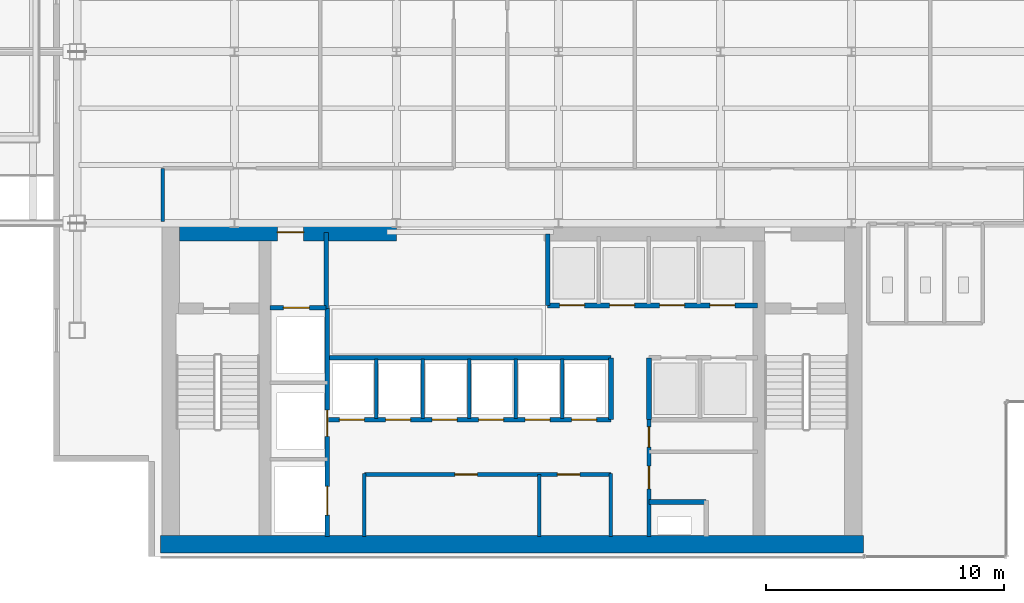
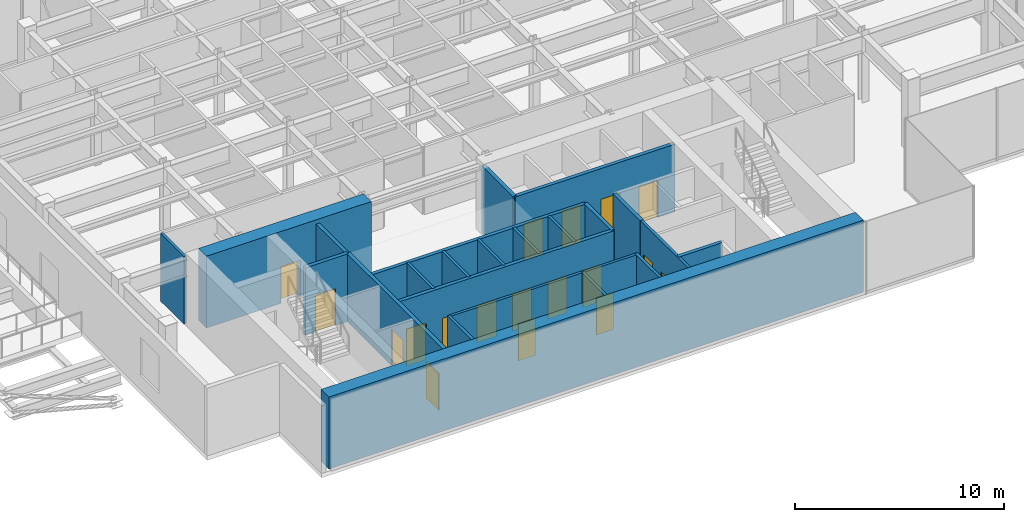
# One storey, part 18 of 26: 23 walls, 18 doors, 18 openings.
"""IFC4 building model written with IfcOpenShell, lengths in metres."""

from ifc_helpers import new_model, si_unit, derived_unit, direction, frame, frame_2d, origin, place, context, subcontext, project, spatial, rectangle, extrude, source, transform, mapped, material, layer, layer_set, type_object, element, fill, save


model = new_model("IFC4")

# Units and contexts
model_context = context("Model", 3, precision=1e-05, world=origin(), true_north=direction((0.0, 1.0)))
body_context = subcontext(model_context, "Body", "Model", "MODEL_VIEW")
ifc_project = project(units=[si_unit("LENGTHUNIT", "METRE"), si_unit("AREAUNIT", "SQUARE_METRE"), si_unit("VOLUMEUNIT", "CUBIC_METRE"), si_unit("PLANEANGLEUNIT", "RADIAN"), si_unit("MASSUNIT", "GRAM", prefix="KILO"), derived_unit("THERMALTRANSMITTANCEUNIT", [(si_unit("POWERUNIT", "WATT"), 1), (si_unit("LENGTHUNIT", "METRE"), -2), (si_unit("THERMODYNAMICTEMPERATUREUNIT", "KELVIN"), -1)])], contexts=[model_context])

# Site, building, storey
site_placement = place(None, origin())
site = spatial("IfcSite", under=ifc_project, at=site_placement, CompositionType="ELEMENT")
building_placement = place(site_placement, origin())
building = spatial("IfcBuilding", under=site, at=building_placement, Name="Skarnbrae Concourse Arena and Tower", CompositionType="ELEMENT")
storey_placement = place(building_placement, frame((0.0, 0.0, 184.39990234375)))
storey = spatial("IfcBuildingStorey", under=building, at=storey_placement, Name="L47", CompositionType="ELEMENT", Elevation=184.39990234375)

# Wall
ifc_material_1 = material(Name="Concrete 60 MPa (C60/75)", Category="concrete")
ifc_layer_1 = layer(ifc_material_1, 0.75)
ifc_layer_set_1 = layer_set([ifc_layer_1], Name="Concrete 60 MPa (C60/75)")
wall_type_1 = type_object("IfcWallType", Name="WALL-CORE-750-C60", PredefinedType="SHEAR", material=ifc_layer_set_1)
shared_shape_1 = source(origin(), body_context, "Body", "SweptSolid", [
    extrude(rectangle(XDim=29.5, YDim=0.75, at=frame_2d((14.75, 0.0))), origin(), (0.0, 0.0, 1.0), 4.2001953125),
])
wall_1_placement = place(storey_placement, frame((4.5, 0.52490234375, 0.0), z_axis=(0.0, 0.0, 1.0), x_axis=(1.0, 0.0, 0.0)))
element("IfcWall", 1, at=wall_1_placement, inside=storey, type_object=wall_type_1, Name="L47 Rear core shear wall CW-S", PredefinedType="SHEAR", context=body_context, shape_type="MappedRepresentation", body=[
    mapped(shared_shape_1, transform((0.0, 0.0, 0.0))),
])

# Wall, opening, door
shared_shape_2 = source(origin(), body_context, "Body", "SweptSolid", [
    extrude(rectangle(XDim=9.099853515625, YDim=0.75, at=frame_2d((4.5498046875, 0.0))), origin(), (0.0, 0.0, 1.0), 4.2001953125),
])
wall_2_placement = place(storey_placement, frame((5.300048828125, 13.625, 0.0), z_axis=(0.0, 0.0, 1.0), x_axis=(1.0, 0.0, 0.0)))
wall_2 = element("IfcWall", 2, at=wall_2_placement, inside=storey, type_object=wall_type_1, Name="L47 Rear core shear wall CW-NW", PredefinedType="SHEAR", context=body_context, shape_type="MappedRepresentation", body=[
    mapped(shared_shape_2, transform((0.0, 0.0, 0.0))),
])
opening_1_placement = place(wall_2_placement, frame((4.10009765625, 0.0, 0.0)))
opening_1 = element("IfcOpeningElement", 3, at=opening_1_placement, cuts=wall_2, Name="Opening DT-03", PredefinedType="OPENING", context=body_context, shape_type="SweptSolid", body=[
    extrude(rectangle(XDim=1.10009765625, YDim=2.14990234375, at=frame_2d((0.550048828125, 1.074951171875))), frame((0.0, 0.385009765625, 0.0), z_axis=(0.0, -1.0, 0.0), x_axis=(1.0, 0.0, 0.0)), (0.0, 0.0, 1.0), 0.77001953125),
])
ifc_material_2 = material(Name="Steel CSA G40.21 350W", Category="steel")
door_type_1 = type_object("IfcDoorType", Name="DOOR-FIRE-1100-90M", OperationType="NOTDEFINED", PredefinedType="DOOR", material=ifc_material_2)
shared_shape_3 = source(origin(), body_context, "Body", "SweptSolid", [
    extrude(rectangle(XDim=1.10009765625, YDim=2.14990234375, at=frame_2d((0.550048828125, 1.074951171875))), frame((0.0, 0.02490234375, 0.0), z_axis=(0.0, -1.0, 0.0), x_axis=(1.0, 0.0, 0.0)), (0.0, 0.0, 1.0), 0.050048828125),
])
door_1_placement = place(opening_1_placement, origin())
door_1 = element("IfcDoor", 4, at=door_1_placement, inside=storey, type_object=door_type_1, Name="D-1436 Firefighting Lobby Exit Door", OperationType="SINGLE_SWING_RIGHT", OverallHeight=2.14990234375, OverallWidth=1.10009765625, PredefinedType="DOOR", context=body_context, shape_type="MappedRepresentation", body=[
    mapped(shared_shape_3, transform((0.0, 0.0, 0.0))),
])
fill(opening_1, door_1)

# Wall
ifc_material_3 = material(Name="Gypsum board on cold-formed steel studs", Category="steel")
ifc_layer_2 = layer(ifc_material_3, 0.199951171875)
ifc_layer_set_2 = layer_set([ifc_layer_2], Name="Gypsum board on cold-formed steel studs")
wall_type_2 = type_object("IfcWallType", Name="WALL-PART-200-2HR", PredefinedType="PARTITIONING", material=ifc_layer_set_2)
shared_shape_4 = source(origin(), body_context, "Body", "SweptSolid", [
    extrude(rectangle(XDim=3.18017578125, YDim=0.199951171875, at=frame_2d((1.590087890625, 0.0))), origin(), (0.0, 0.0, 1.0), 3.9501953125),
])
wall_3_placement = place(storey_placement, frame((11.449951171875, 10.419921875, 0.0), z_axis=(0.0, 0.0, 1.0), x_axis=(0.0, 1.0, 0.0)))
element("IfcWall", 5, at=wall_3_placement, inside=storey, type_object=wall_type_2, Name="L47 Interior partition wall W-L47-FFL-E", PredefinedType="PARTITIONING", context=body_context, shape_type="MappedRepresentation", body=[
    mapped(shared_shape_4, transform((0.0, 0.0, 0.0))),
])

# Wall, opening, door
shared_shape_5 = source(origin(), body_context, "Body", "SweptSolid", [
    extrude(rectangle(XDim=2.349853515625, YDim=0.199951171875, at=frame_2d((1.1748046875, 0.0))), origin(), (0.0, 0.0, 1.0), 3.9501953125),
])
wall_4_placement = place(storey_placement, frame((9.10009765625, 10.449951171875, 0.0), z_axis=(0.0, 0.0, 1.0), x_axis=(1.0, 0.0, 0.0)))
wall_4 = element("IfcWall", 6, at=wall_4_placement, inside=storey, type_object=wall_type_2, Name="L47 Interior partition wall W-L47-FL1-N", PredefinedType="PARTITIONING", context=body_context, shape_type="MappedRepresentation", body=[
    mapped(shared_shape_5, transform((0.0, 0.0, 0.0))),
])
opening_2_placement = place(wall_4_placement, frame((0.550048828125, 0.0, 0.0)))
opening_2 = element("IfcOpeningElement", 7, at=opening_2_placement, cuts=wall_4, Name="Opening LD-01", PredefinedType="OPENING", context=body_context, shape_type="SweptSolid", body=[
    extrude(rectangle(XDim=1.10009765625, YDim=2.14990234375, at=frame_2d((0.550048828125, 1.074951171875))), frame((0.0, 0.10986328125, 0.0), z_axis=(0.0, -1.0, 0.0), x_axis=(1.0, 0.0, 0.0)), (0.0, 0.0, 1.0), 0.219970703125),
])
door_type_2 = type_object("IfcDoorType", Name="DOOR-LIFT-SLIDE-1100", OperationType="SLIDING_TO_LEFT", PredefinedType="DOOR", material=ifc_material_2)
door_2_placement = place(opening_2_placement, origin())
door_2 = element("IfcDoor", 8, at=door_2_placement, inside=storey, type_object=door_type_2, Name="D-1438 Firefighting Lift Landing Door FL-01", OperationType="SLIDING_TO_LEFT", OverallHeight=2.14990234375, OverallWidth=1.10009765625, PredefinedType="DOOR", context=body_context, shape_type="MappedRepresentation", body=[
    mapped(shared_shape_3, transform((0.0, 0.0, 0.0))),
])
fill(opening_2, door_2)

# Wall, openings, doors
shared_shape_6 = source(origin(), body_context, "Body", "SweptSolid", [
    extrude(rectangle(XDim=9.599853515625, YDim=0.199951171875, at=frame_2d((4.7998046875, 0.0))), origin(), (0.0, 0.0, 1.0), 3.9501953125),
])
wall_5_placement = place(storey_placement, frame((11.5, 0.85009765625, 0.0), z_axis=(0.0, 0.0, 1.0), x_axis=(0.0, 1.0, 0.0)))
wall_5 = element("IfcWall", 9, at=wall_5_placement, inside=storey, type_object=wall_type_2, Name="L47 Interior partition wall W-L47-FL-E", PredefinedType="PARTITIONING", context=body_context, shape_type="MappedRepresentation", body=[
    mapped(shared_shape_6, transform((0.0, 0.0, 0.0))),
])
opening_3_placement = place(wall_5_placement, frame((4.199951171875, 0.0, 0.0)))
opening_3 = element("IfcOpeningElement", 10, at=opening_3_placement, cuts=wall_5, Name="Opening LD-01", PredefinedType="OPENING", context=body_context, shape_type="SweptSolid", body=[
    extrude(rectangle(XDim=1.10009765625, YDim=2.14990234375, at=frame_2d((0.550048828125, 1.074951171875))), frame((0.0, 0.10986328125, 0.0), z_axis=(0.0, -1.0, 0.0), x_axis=(1.0, 0.0, 0.0)), (0.0, 0.0, 1.0), 0.219970703125),
])
opening_4_placement = place(wall_5_placement, frame((0.89990234375, 0.0, 0.0)))
opening_4 = element("IfcOpeningElement", 11, at=opening_4_placement, cuts=wall_5, Name="Opening LD-02", PredefinedType="OPENING", context=body_context, shape_type="SweptSolid", body=[
    extrude(rectangle(XDim=1.199951171875, YDim=2.14990234375, at=frame_2d((0.60009765625, 1.074951171875))), frame((0.0, 0.10986328125, 0.0), z_axis=(0.0, -1.0, 0.0), x_axis=(1.0, 0.0, 0.0)), (0.0, 0.0, 1.0), 0.219970703125),
])
door_3_placement = place(opening_3_placement, frame((1.10009765625, 0.0, 0.0), z_axis=(0.0, 0.0, 1.0), x_axis=(-1.0, 0.0, 0.0)))
door_3 = element("IfcDoor", 12, at=door_3_placement, inside=storey, type_object=door_type_2, Name="D-1439 Firefighting Lift Landing Door FL-02", OperationType="SLIDING_TO_LEFT", OverallHeight=2.14990234375, OverallWidth=1.10009765625, PredefinedType="DOOR", context=body_context, shape_type="MappedRepresentation", body=[
    mapped(shared_shape_3, transform((0.0, 0.0, 0.0))),
])
fill(opening_3, door_3)
door_type_3 = type_object("IfcDoorType", Name="DOOR-LIFT-SLIDE-1200", OperationType="SLIDING_TO_LEFT", PredefinedType="DOOR", material=ifc_material_2)
shared_shape_7 = source(origin(), body_context, "Body", "SweptSolid", [
    extrude(rectangle(XDim=1.199951171875, YDim=2.14990234375, at=frame_2d((0.60009765625, 1.074951171875))), frame((0.0, 0.02490234375, 0.0), z_axis=(0.0, -1.0, 0.0), x_axis=(1.0, 0.0, 0.0)), (0.0, 0.0, 1.0), 0.050048828125),
])
door_4_placement = place(opening_4_placement, frame((1.199951171875, 0.0, 0.0), z_axis=(0.0, 0.0, 1.0), x_axis=(-1.0, 0.0, 0.0)))
door_4 = element("IfcDoor", 13, at=door_4_placement, inside=storey, type_object=door_type_3, Name="D-1440 Service Lift Landing Door SV-01", OperationType="SLIDING_TO_LEFT", OverallHeight=2.14990234375, OverallWidth=1.199951171875, PredefinedType="DOOR", context=body_context, shape_type="MappedRepresentation", body=[
    mapped(shared_shape_7, transform((0.0, 0.0, 0.0))),
])
fill(opening_4, door_4)

# Walls
ifc_layer_3 = layer(ifc_material_3, 0.14990234375)
ifc_layer_set_3 = layer_set([ifc_layer_3], Name="Gypsum board on cold-formed steel studs")
wall_type_3 = type_object("IfcWallType", Name="WALL-PART-150-1HR", PredefinedType="PARTITIONING", material=ifc_layer_set_3)
shared_shape_8 = source(origin(), body_context, "Body", "SweptSolid", [
    extrude(rectangle(XDim=2.64990234375, YDim=0.14990234375, at=frame_2d((1.324951171875, 0.0))), origin(), (0.0, 0.0, 1.0), 3.9501953125),
])
for number, where, z_axis, x_axis, name in (
    (14, (13.050048828125, 0.85009765625, 0.0), (0.0, 0.0, 1.0), (0.0, 1.0, 0.0), "L47 Interior partition wall W-L47-B1M-W"),
    (15, (23.39990234375, 0.85009765625, 0.0), (0.0, 0.0, 1.0), (0.0, 1.0, 0.0), "L47 Interior partition wall W-L47-B1M-E"),
):
    element("IfcWall", number, at=place(storey_placement, frame(where, z_axis=z_axis, x_axis=x_axis)), inside=storey, type_object=wall_type_3, Name=name, PredefinedType="PARTITIONING", context=body_context, shape_type="MappedRepresentation", body=[
        mapped(shared_shape_8, transform((0.0, 0.0, 0.0))),
    ])

# Wall, openings, doors
shared_shape_9 = source(origin(), body_context, "Body", "SweptSolid", [
    extrude(rectangle(XDim=10.349853515625, YDim=0.14990234375, at=frame_2d((5.1748046875, 0.0))), origin(), (0.0, 0.0, 1.0), 3.9501953125),
])
wall_6_placement = place(storey_placement, frame((13.050048828125, 3.449951171875, 0.0), z_axis=(0.0, 0.0, 1.0), x_axis=(1.0, 0.0, 0.0)))
wall_6 = element("IfcWall", 16, at=wall_6_placement, inside=storey, type_object=wall_type_3, Name="L47 Interior partition wall W-L47-B1M-N", PredefinedType="PARTITIONING", context=body_context, shape_type="MappedRepresentation", body=[
    mapped(shared_shape_9, transform((0.0, 0.0, 0.0))),
])
opening_5_placement = place(wall_6_placement, frame((3.800048828125, 0.0, 0.0)))
opening_5 = element("IfcOpeningElement", 17, at=opening_5_placement, cuts=wall_6, Name="Opening DT-04", PredefinedType="OPENING", context=body_context, shape_type="SweptSolid", body=[
    extrude(rectangle(XDim=0.949951171875, YDim=2.14990234375, at=frame_2d((0.47509765625, 1.074951171875))), frame((0.0, 0.0849609375, 0.0), z_axis=(0.0, -1.0, 0.0), x_axis=(1.0, 0.0, 0.0)), (0.0, 0.0, 1.0), 0.169921875),
])
opening_6_placement = place(wall_6_placement, frame((8.10009765625, 0.0, 0.0)))
opening_6 = element("IfcOpeningElement", 18, at=opening_6_placement, cuts=wall_6, Name="Opening DT-04", PredefinedType="OPENING", context=body_context, shape_type="SweptSolid", body=[
    extrude(rectangle(XDim=0.949951171875, YDim=2.14990234375, at=frame_2d((0.47509765625, 1.074951171875))), frame((0.0, 0.0849609375, 0.0), z_axis=(0.0, -1.0, 0.0), x_axis=(1.0, 0.0, 0.0)), (0.0, 0.0, 1.0), 0.169921875),
])
door_type_4 = type_object("IfcDoorType", Name="DOOR-INT-950-45M", OperationType="NOTDEFINED", PredefinedType="DOOR", material=ifc_material_2)
shared_shape_10 = source(origin(), body_context, "Body", "SweptSolid", [
    extrude(rectangle(XDim=0.949951171875, YDim=2.14990234375, at=frame_2d((0.47509765625, 1.074951171875))), frame((0.0, 0.02490234375, 0.0), z_axis=(0.0, -1.0, 0.0), x_axis=(1.0, 0.0, 0.0)), (0.0, 0.0, 1.0), 0.050048828125),
])
door_5_placement = place(opening_5_placement, origin())
door_5 = element("IfcDoor", 19, at=door_5_placement, inside=storey, type_object=door_type_4, Name="D-1441 Staff Locker Door", OperationType="SINGLE_SWING_LEFT", OverallHeight=2.14990234375, OverallWidth=0.949951171875, PredefinedType="DOOR", context=body_context, shape_type="MappedRepresentation", body=[
    mapped(shared_shape_10, transform((0.0, 0.0, 0.0))),
])
fill(opening_5, door_5)
door_6_placement = place(opening_6_placement, origin())
door_6 = element("IfcDoor", 20, at=door_6_placement, inside=storey, type_object=door_type_4, Name="D-1442 Janitor Store Door", OperationType="SINGLE_SWING_RIGHT", OverallHeight=2.14990234375, OverallWidth=0.949951171875, PredefinedType="DOOR", context=body_context, shape_type="MappedRepresentation", body=[
    mapped(shared_shape_10, transform((0.0, 0.0, 0.0))),
])
fill(opening_6, door_6)

# Wall
ifc_layer_4 = layer(ifc_material_3, 0.14990234375)
ifc_layer_set_4 = layer_set([ifc_layer_4], Name="Gypsum board on cold-formed steel studs")
wall_type_4 = type_object("IfcWallType", Name="WALL-PART-150", PredefinedType="PARTITIONING", material=ifc_layer_set_4)
shared_shape_11 = source(origin(), body_context, "Body", "SweptSolid", [
    extrude(rectangle(XDim=2.599853515625, YDim=0.14990234375, at=frame_2d((1.2998046875, 0.0))), origin(), (0.0, 0.0, 1.0), 3.9501953125),
])
wall_7_placement = place(storey_placement, frame((20.39990234375, 0.85009765625, 0.0), z_axis=(0.0, 0.0, 1.0), x_axis=(0.0, 1.0, 0.0)))
element("IfcWall", 21, at=wall_7_placement, inside=storey, type_object=wall_type_4, Name="L47 Interior partition wall W-L47-B1M-C1", PredefinedType="PARTITIONING", context=body_context, shape_type="MappedRepresentation", body=[
    mapped(shared_shape_11, transform((0.0, 0.0, 0.0))),
])

# Wall, openings, doors
shared_shape_12 = source(origin(), body_context, "Body", "SweptSolid", [
    extrude(rectangle(XDim=11.849853515625, YDim=0.199951171875, at=frame_2d((5.9248046875, 0.0))), origin(), (0.0, 0.0, 1.0), 3.9501953125),
])
wall_8_placement = place(storey_placement, frame((11.550048828125, 5.75, 0.0), z_axis=(0.0, 0.0, 1.0), x_axis=(1.0, 0.0, 0.0)))
wall_8 = element("IfcWall", 22, at=wall_8_placement, inside=storey, type_object=wall_type_2, Name="L47 Interior partition wall W-L47-B2-S", PredefinedType="PARTITIONING", context=body_context, shape_type="MappedRepresentation", body=[
    mapped(shared_shape_12, transform((0.0, 0.0, 0.0))),
])
opening_7_placement = place(wall_8_placement, frame((0.449951171875, 0.0, 0.0)))
opening_7 = element("IfcOpeningElement", 23, at=opening_7_placement, cuts=wall_8, Name="Opening LD-03", PredefinedType="OPENING", context=body_context, shape_type="SweptSolid", body=[
    extrude(rectangle(XDim=1.050048828125, YDim=2.14990234375, at=frame_2d((0.52490234375, 1.074951171875))), frame((0.0, 0.10986328125, 0.0), z_axis=(0.0, -1.0, 0.0), x_axis=(1.0, 0.0, 0.0)), (0.0, 0.0, 1.0), 0.219970703125),
])
opening_8_placement = place(wall_8_placement, frame((2.39990234375, 0.0, 0.0)))
opening_8 = element("IfcOpeningElement", 24, at=opening_8_placement, cuts=wall_8, Name="Opening LD-03", PredefinedType="OPENING", context=body_context, shape_type="SweptSolid", body=[
    extrude(rectangle(XDim=1.050048828125, YDim=2.14990234375, at=frame_2d((0.52490234375, 1.074951171875))), frame((0.0, 0.10986328125, 0.0), z_axis=(0.0, -1.0, 0.0), x_axis=(1.0, 0.0, 0.0)), (0.0, 0.0, 1.0), 0.219970703125),
])
opening_9_placement = place(wall_8_placement, frame((4.35009765625, 0.0, 0.0)))
opening_9 = element("IfcOpeningElement", 25, at=opening_9_placement, cuts=wall_8, Name="Opening LD-03", PredefinedType="OPENING", context=body_context, shape_type="SweptSolid", body=[
    extrude(rectangle(XDim=1.050048828125, YDim=2.14990234375, at=frame_2d((0.52490234375, 1.074951171875))), frame((0.0, 0.10986328125, 0.0), z_axis=(0.0, -1.0, 0.0), x_axis=(1.0, 0.0, 0.0)), (0.0, 0.0, 1.0), 0.219970703125),
])
opening_10_placement = place(wall_8_placement, frame((6.300048828125, 0.0, 0.0)))
opening_10 = element("IfcOpeningElement", 26, at=opening_10_placement, cuts=wall_8, Name="Opening LD-03", PredefinedType="OPENING", context=body_context, shape_type="SweptSolid", body=[
    extrude(rectangle(XDim=1.050048828125, YDim=2.14990234375, at=frame_2d((0.52490234375, 1.074951171875))), frame((0.0, 0.10986328125, 0.0), z_axis=(0.0, -1.0, 0.0), x_axis=(1.0, 0.0, 0.0)), (0.0, 0.0, 1.0), 0.219970703125),
])
opening_11_placement = place(wall_8_placement, frame((8.25, 0.0, 0.0)))
opening_11 = element("IfcOpeningElement", 27, at=opening_11_placement, cuts=wall_8, Name="Opening LD-03", PredefinedType="OPENING", context=body_context, shape_type="SweptSolid", body=[
    extrude(rectangle(XDim=1.050048828125, YDim=2.14990234375, at=frame_2d((0.52490234375, 1.074951171875))), frame((0.0, 0.10986328125, 0.0), z_axis=(0.0, -1.0, 0.0), x_axis=(1.0, 0.0, 0.0)), (0.0, 0.0, 1.0), 0.219970703125),
])
opening_12_placement = place(wall_8_placement, frame((10.199951171875, 0.0, 0.0)))
opening_12 = element("IfcOpeningElement", 28, at=opening_12_placement, cuts=wall_8, Name="Opening LD-03", PredefinedType="OPENING", context=body_context, shape_type="SweptSolid", body=[
    extrude(rectangle(XDim=1.050048828125, YDim=2.14990234375, at=frame_2d((0.52490234375, 1.074951171875))), frame((0.0, 0.10986328125, 0.0), z_axis=(0.0, -1.0, 0.0), x_axis=(1.0, 0.0, 0.0)), (0.0, 0.0, 1.0), 0.219970703125),
])
ifc_material_4 = material(Name="Bronze anodised aluminium 6063-T6", Category="aluminium")
door_type_5 = type_object("IfcDoorType", Name="DOOR-LIFT-SLIDE-1050", OperationType="SLIDING_TO_LEFT", PredefinedType="DOOR", material=ifc_material_4)
shared_shape_13 = source(origin(), body_context, "Body", "SweptSolid", [
    extrude(rectangle(XDim=1.050048828125, YDim=2.14990234375, at=frame_2d((0.52490234375, 1.074951171875))), frame((0.0, 0.02490234375, 0.0), z_axis=(0.0, -1.0, 0.0), x_axis=(1.0, 0.0, 0.0)), (0.0, 0.0, 1.0), 0.050048828125),
])
door_7_placement = place(opening_7_placement, frame((1.050048828125, 0.0, 0.0), z_axis=(0.0, 0.0, 1.0), x_axis=(-1.0, 0.0, 0.0)))
door_7 = element("IfcDoor", 29, at=door_7_placement, inside=storey, type_object=door_type_5, Name="D-1443 Passenger Lift Landing Door PL-2A", OperationType="SLIDING_TO_LEFT", OverallHeight=2.14990234375, OverallWidth=1.050048828125, PredefinedType="DOOR", context=body_context, shape_type="MappedRepresentation", body=[
    mapped(shared_shape_13, transform((0.0, 0.0, 0.0))),
])
fill(opening_7, door_7)
door_8_placement = place(opening_8_placement, frame((1.050048828125, 0.0, 0.0), z_axis=(0.0, 0.0, 1.0), x_axis=(-1.0, 0.0, 0.0)))
door_8 = element("IfcDoor", 30, at=door_8_placement, inside=storey, type_object=door_type_5, Name="D-1444 Passenger Lift Landing Door PL-2B", OperationType="SLIDING_TO_LEFT", OverallHeight=2.14990234375, OverallWidth=1.050048828125, PredefinedType="DOOR", context=body_context, shape_type="MappedRepresentation", body=[
    mapped(shared_shape_13, transform((0.0, 0.0, 0.0))),
])
fill(opening_8, door_8)
door_9_placement = place(opening_9_placement, frame((1.050048828125, 0.0, 0.0), z_axis=(0.0, 0.0, 1.0), x_axis=(-1.0, 0.0, 0.0)))
door_9 = element("IfcDoor", 31, at=door_9_placement, inside=storey, type_object=door_type_5, Name="D-1445 Passenger Lift Landing Door PL-2C", OperationType="SLIDING_TO_LEFT", OverallHeight=2.14990234375, OverallWidth=1.050048828125, PredefinedType="DOOR", context=body_context, shape_type="MappedRepresentation", body=[
    mapped(shared_shape_13, transform((0.0, 0.0, 0.0))),
])
fill(opening_9, door_9)
door_10_placement = place(opening_10_placement, frame((1.050048828125, 0.0, 0.0), z_axis=(0.0, 0.0, 1.0), x_axis=(-1.0, 0.0, 0.0)))
door_10 = element("IfcDoor", 32, at=door_10_placement, inside=storey, type_object=door_type_5, Name="D-1446 Passenger Lift Landing Door PL-2D", OperationType="SLIDING_TO_LEFT", OverallHeight=2.14990234375, OverallWidth=1.050048828125, PredefinedType="DOOR", context=body_context, shape_type="MappedRepresentation", body=[
    mapped(shared_shape_13, transform((0.0, 0.0, 0.0))),
])
fill(opening_10, door_10)
door_11_placement = place(opening_11_placement, frame((1.050048828125, 0.0, 0.0), z_axis=(0.0, 0.0, 1.0), x_axis=(-1.0, 0.0, 0.0)))
door_11 = element("IfcDoor", 33, at=door_11_placement, inside=storey, type_object=door_type_5, Name="D-1447 Passenger Lift Landing Door PL-2E", OperationType="SLIDING_TO_LEFT", OverallHeight=2.14990234375, OverallWidth=1.050048828125, PredefinedType="DOOR", context=body_context, shape_type="MappedRepresentation", body=[
    mapped(shared_shape_13, transform((0.0, 0.0, 0.0))),
])
fill(opening_11, door_11)
door_12_placement = place(opening_12_placement, frame((1.050048828125, 0.0, 0.0), z_axis=(0.0, 0.0, 1.0), x_axis=(-1.0, 0.0, 0.0)))
door_12 = element("IfcDoor", 34, at=door_12_placement, inside=storey, type_object=door_type_5, Name="D-1448 Passenger Lift Landing Door PL-2F", OperationType="SLIDING_TO_LEFT", OverallHeight=2.14990234375, OverallWidth=1.050048828125, PredefinedType="DOOR", context=body_context, shape_type="MappedRepresentation", body=[
    mapped(shared_shape_13, transform((0.0, 0.0, 0.0))),
])
fill(opening_12, door_12)

# Walls
wall_9_placement = place(storey_placement, frame((11.550048828125, 8.35009765625, 0.0), z_axis=(0.0, 0.0, 1.0), x_axis=(1.0, 0.0, 0.0)))
element("IfcWall", 35, at=wall_9_placement, inside=storey, type_object=wall_type_2, Name="L47 Interior partition wall W-L47-B2-N", PredefinedType="PARTITIONING", context=body_context, shape_type="MappedRepresentation", body=[
    mapped(shared_shape_12, transform((0.0, 0.0, 0.0))),
])
shared_shape_14 = source(origin(), body_context, "Body", "SweptSolid", [
    extrude(rectangle(XDim=2.60009765625, YDim=0.199951171875, at=frame_2d((1.300048828125, 0.0))), origin(), (0.0, 0.0, 1.0), 3.9501953125),
])
for number, where, z_axis, x_axis, name in (
    (36, (23.39990234375, 5.75, 0.0), (0.0, 0.0, 1.0), (0.0, 1.0, 0.0), "L47 Interior partition wall W-L47-B2-E"),
    (37, (25.0, 5.75, 0.0), (0.0, 0.0, 1.0), (0.0, 1.0, 0.0), "L47 Interior partition wall W-L47-B3S-W"),
):
    element("IfcWall", number, at=place(storey_placement, frame(where, z_axis=z_axis, x_axis=x_axis)), inside=storey, type_object=wall_type_2, Name=name, PredefinedType="PARTITIONING", context=body_context, shape_type="MappedRepresentation", body=[
        mapped(shared_shape_14, transform((0.0, 0.0, 0.0))),
    ])
shared_shape_15 = source(origin(), body_context, "Body", "SweptSolid", [
    extrude(rectangle(XDim=2.5, YDim=0.14990234375, at=frame_2d((1.25, 0.0))), origin(), (0.0, 0.0, 1.0), 3.9501953125),
])
for number, where, z_axis, x_axis, name in (
    (38, (13.550048828125, 5.800048828125, 0.0), (0.0, 0.0, 1.0), (0.0, 1.0, 0.0), "L47 Interior partition wall W-L47-B2-P1"),
    (39, (15.5, 5.800048828125, 0.0), (0.0, 0.0, 1.0), (0.0, 1.0, 0.0), "L47 Interior partition wall W-L47-B2-P2"),
    (40, (17.449951171875, 5.800048828125, 0.0), (0.0, 0.0, 1.0), (0.0, 1.0, 0.0), "L47 Interior partition wall W-L47-B2-P3"),
    (41, (19.39990234375, 5.800048828125, 0.0), (0.0, 0.0, 1.0), (0.0, 1.0, 0.0), "L47 Interior partition wall W-L47-B2-P4"),
    (42, (21.35009765625, 5.800048828125, 0.0), (0.0, 0.0, 1.0), (0.0, 1.0, 0.0), "L47 Interior partition wall W-L47-B2-P5"),
):
    element("IfcWall", number, at=place(storey_placement, frame(where, z_axis=z_axis, x_axis=x_axis)), inside=storey, type_object=wall_type_4, Name=name, PredefinedType="PARTITIONING", context=body_context, shape_type="MappedRepresentation", body=[
        mapped(shared_shape_15, transform((0.0, 0.0, 0.0))),
    ])

# Wall, openings, doors
shared_shape_16 = source(origin(), body_context, "Body", "SweptSolid", [
    extrude(rectangle(XDim=8.800048828125, YDim=0.199951171875, at=frame_2d((4.39990234375, 0.0))), origin(), (0.0, 0.0, 1.0), 3.9501953125),
])
wall_10_placement = place(storey_placement, frame((20.75, 10.550048828125, 0.0), z_axis=(0.0, 0.0, 1.0), x_axis=(1.0, 0.0, 0.0)))
wall_10 = element("IfcWall", 43, at=wall_10_placement, inside=storey, type_object=wall_type_2, Name="L47 Interior partition wall W-L47-B3N-S", PredefinedType="PARTITIONING", context=body_context, shape_type="MappedRepresentation", body=[
    mapped(shared_shape_16, transform((0.0, 0.0, 0.0))),
])
opening_13_placement = place(wall_10_placement, frame((0.5, 0.0, 0.0)))
opening_13 = element("IfcOpeningElement", 44, at=opening_13_placement, cuts=wall_10, Name="Opening LD-04", PredefinedType="OPENING", context=body_context, shape_type="SweptSolid", body=[
    extrude(rectangle(XDim=1.050048828125, YDim=2.14990234375, at=frame_2d((0.52490234375, 1.074951171875))), frame((0.0, 0.10986328125, 0.0), z_axis=(0.0, -1.0, 0.0), x_axis=(1.0, 0.0, 0.0)), (0.0, 0.0, 1.0), 0.219970703125),
])
opening_14_placement = place(wall_10_placement, frame((2.60009765625, 0.0, 0.0)))
opening_14 = element("IfcOpeningElement", 45, at=opening_14_placement, cuts=wall_10, Name="Opening LD-04", PredefinedType="OPENING", context=body_context, shape_type="SweptSolid", body=[
    extrude(rectangle(XDim=1.050048828125, YDim=2.14990234375, at=frame_2d((0.52490234375, 1.074951171875))), frame((0.0, 0.10986328125, 0.0), z_axis=(0.0, -1.0, 0.0), x_axis=(1.0, 0.0, 0.0)), (0.0, 0.0, 1.0), 0.219970703125),
])
opening_15_placement = place(wall_10_placement, frame((4.699951171875, 0.0, 0.0)))
opening_15 = element("IfcOpeningElement", 46, at=opening_15_placement, cuts=wall_10, Name="Opening LD-04", PredefinedType="OPENING", context=body_context, shape_type="SweptSolid", body=[
    extrude(rectangle(XDim=1.050048828125, YDim=2.14990234375, at=frame_2d((0.52490234375, 1.074951171875))), frame((0.0, 0.10986328125, 0.0), z_axis=(0.0, -1.0, 0.0), x_axis=(1.0, 0.0, 0.0)), (0.0, 0.0, 1.0), 0.219970703125),
])
opening_16_placement = place(wall_10_placement, frame((6.800048828125, 0.0, 0.0)))
opening_16 = element("IfcOpeningElement", 47, at=opening_16_placement, cuts=wall_10, Name="Opening LD-04", PredefinedType="OPENING", context=body_context, shape_type="SweptSolid", body=[
    extrude(rectangle(XDim=1.050048828125, YDim=2.14990234375, at=frame_2d((0.52490234375, 1.074951171875))), frame((0.0, 0.10986328125, 0.0), z_axis=(0.0, -1.0, 0.0), x_axis=(1.0, 0.0, 0.0)), (0.0, 0.0, 1.0), 0.219970703125),
])
door_type_6 = type_object("IfcDoorType", Name="DOOR-LIFT-SLIDE-1050H", OperationType="SLIDING_TO_LEFT", PredefinedType="DOOR", material=ifc_material_4)
door_13_placement = place(opening_13_placement, frame((1.050048828125, 0.0, 0.0), z_axis=(0.0, 0.0, 1.0), x_axis=(-1.0, 0.0, 0.0)))
door_13 = element("IfcDoor", 48, at=door_13_placement, inside=storey, type_object=door_type_6, Name="D-1449 Passenger Lift Landing Door PL-3A", OperationType="SLIDING_TO_LEFT", OverallHeight=2.14990234375, OverallWidth=1.050048828125, PredefinedType="DOOR", context=body_context, shape_type="MappedRepresentation", body=[
    mapped(shared_shape_13, transform((0.0, 0.0, 0.0))),
])
fill(opening_13, door_13)
door_14_placement = place(opening_14_placement, frame((1.050048828125, 0.0, 0.0), z_axis=(0.0, 0.0, 1.0), x_axis=(-1.0, 0.0, 0.0)))
door_14 = element("IfcDoor", 49, at=door_14_placement, inside=storey, type_object=door_type_6, Name="D-1450 Passenger Lift Landing Door PL-3B", OperationType="SLIDING_TO_LEFT", OverallHeight=2.14990234375, OverallWidth=1.050048828125, PredefinedType="DOOR", context=body_context, shape_type="MappedRepresentation", body=[
    mapped(shared_shape_13, transform((0.0, 0.0, 0.0))),
])
fill(opening_14, door_14)
door_15_placement = place(opening_15_placement, frame((1.050048828125, 0.0, 0.0), z_axis=(0.0, 0.0, 1.0), x_axis=(-1.0, 0.0, 0.0)))
door_15 = element("IfcDoor", 50, at=door_15_placement, inside=storey, type_object=door_type_6, Name="D-1451 Passenger Lift Landing Door PL-3C", OperationType="SLIDING_TO_LEFT", OverallHeight=2.14990234375, OverallWidth=1.050048828125, PredefinedType="DOOR", context=body_context, shape_type="MappedRepresentation", body=[
    mapped(shared_shape_13, transform((0.0, 0.0, 0.0))),
])
fill(opening_15, door_15)
door_16_placement = place(opening_16_placement, frame((1.050048828125, 0.0, 0.0), z_axis=(0.0, 0.0, 1.0), x_axis=(-1.0, 0.0, 0.0)))
door_16 = element("IfcDoor", 51, at=door_16_placement, inside=storey, type_object=door_type_6, Name="D-1452 Passenger Lift Landing Door PL-3D", OperationType="SLIDING_TO_LEFT", OverallHeight=2.14990234375, OverallWidth=1.050048828125, PredefinedType="DOOR", context=body_context, shape_type="MappedRepresentation", body=[
    mapped(shared_shape_13, transform((0.0, 0.0, 0.0))),
])
fill(opening_16, door_16)

# Wall
shared_shape_17 = source(origin(), body_context, "Body", "SweptSolid", [
    extrude(rectangle(XDim=3.0, YDim=0.199951171875, at=frame_2d((1.5, 0.0))), origin(), (0.0, 0.0, 1.0), 3.9501953125),
])
wall_11_placement = place(storey_placement, frame((20.75, 10.550048828125, 0.0), z_axis=(0.0, 0.0, 1.0), x_axis=(0.0, 1.0, 0.0)))
element("IfcWall", 52, at=wall_11_placement, inside=storey, type_object=wall_type_2, Name="L47 Interior partition wall W-L47-B3N-W", PredefinedType="PARTITIONING", context=body_context, shape_type="MappedRepresentation", body=[
    mapped(shared_shape_17, transform((0.0, 0.0, 0.0))),
])

# Wall, openings, doors
shared_shape_18 = source(origin(), body_context, "Body", "SweptSolid", [
    extrude(rectangle(XDim=4.89990234375, YDim=0.14990234375, at=frame_2d((2.449951171875, 0.0))), origin(), (0.0, 0.0, 1.0), 3.9501953125),
])
wall_12_placement = place(storey_placement, frame((25.0, 0.85009765625, 0.0), z_axis=(0.0, 0.0, 1.0), x_axis=(0.0, 1.0, 0.0)))
wall_12 = element("IfcWall", 53, at=wall_12_placement, inside=storey, type_object=wall_type_3, Name="L47 Interior partition wall W-L47-CSV-W", PredefinedType="PARTITIONING", context=body_context, shape_type="MappedRepresentation", body=[
    mapped(shared_shape_18, transform((0.0, 0.0, 0.0))),
])
opening_17_placement = place(wall_12_placement, frame((2.0, 0.0, 0.0)))
opening_17 = element("IfcOpeningElement", 54, at=opening_17_placement, cuts=wall_12, Name="Opening DT-04", PredefinedType="OPENING", context=body_context, shape_type="SweptSolid", body=[
    extrude(rectangle(XDim=0.949951171875, YDim=2.14990234375, at=frame_2d((0.47509765625, 1.074951171875))), frame((0.0, 0.0849609375, 0.0), z_axis=(0.0, -1.0, 0.0), x_axis=(1.0, 0.0, 0.0)), (0.0, 0.0, 1.0), 0.169921875),
])
opening_18_placement = place(wall_12_placement, frame((3.75, 0.0, 0.0)))
opening_18 = element("IfcOpeningElement", 55, at=opening_18_placement, cuts=wall_12, Name="Opening DT-08", PredefinedType="OPENING", context=body_context, shape_type="SweptSolid", body=[
    extrude(rectangle(XDim=0.85009765625, YDim=2.14990234375, at=frame_2d((0.425048828125, 1.074951171875))), frame((0.0, 0.0849609375, 0.0), z_axis=(0.0, -1.0, 0.0), x_axis=(1.0, 0.0, 0.0)), (0.0, 0.0, 1.0), 0.169921875),
])
door_17_placement = place(opening_17_placement, origin())
door_17 = element("IfcDoor", 56, at=door_17_placement, inside=storey, type_object=door_type_4, Name="D-1455 Telemetry Room Door", OperationType="SINGLE_SWING_LEFT", OverallHeight=2.14990234375, OverallWidth=0.949951171875, PredefinedType="DOOR", context=body_context, shape_type="MappedRepresentation", body=[
    mapped(shared_shape_10, transform((0.0, 0.0, 0.0))),
])
fill(opening_17, door_17)
door_type_7 = type_object("IfcDoorType", Name="DOOR-INT-850-45M", OperationType="NOTDEFINED", PredefinedType="DOOR", material=ifc_material_2)
shared_shape_19 = source(origin(), body_context, "Body", "SweptSolid", [
    extrude(rectangle(XDim=0.85009765625, YDim=2.14990234375, at=frame_2d((0.425048828125, 1.074951171875))), frame((0.0, 0.02490234375, 0.0), z_axis=(0.0, -1.0, 0.0), x_axis=(1.0, 0.0, 0.0)), (0.0, 0.0, 1.0), 0.050048828125),
])
door_18_placement = place(opening_18_placement, origin())
door_18 = element("IfcDoor", 57, at=door_18_placement, inside=storey, type_object=door_type_7, Name="D-1456 Recycling Room Door", OperationType="SINGLE_SWING_RIGHT", OverallHeight=2.14990234375, OverallWidth=0.85009765625, PredefinedType="DOOR", context=body_context, shape_type="MappedRepresentation", body=[
    mapped(shared_shape_19, transform((0.0, 0.0, 0.0))),
])
fill(opening_18, door_18)

# Walls
shared_shape_20 = source(origin(), body_context, "Body", "SweptSolid", [
    extrude(rectangle(XDim=2.39990234375, YDim=0.199951171875, at=frame_2d((1.199951171875, 0.0))), origin(), (0.0, 0.0, 1.0), 3.9501953125),
])
wall_13_placement = place(storey_placement, frame((25.0, 2.300048828125, 0.0), z_axis=(0.0, 0.0, 1.0), x_axis=(1.0, 0.0, 0.0)))
element("IfcWall", 58, at=wall_13_placement, inside=storey, type_object=wall_type_2, Name="L47 Interior partition wall W-L47-MEP-N", PredefinedType="PARTITIONING", context=body_context, shape_type="MappedRepresentation", body=[
    mapped(shared_shape_20, transform((0.0, 0.0, 0.0))),
])
shared_shape_21 = source(origin(), body_context, "Body", "SweptSolid", [
    extrude(rectangle(XDim=2.219970703125, YDim=0.14990234375, at=frame_2d((1.10986328125, 0.0))), origin(), (0.0, 0.0, 1.0), 3.9501953125),
])
wall_14_placement = place(storey_placement, frame((4.60009765625, 14.080078125, 0.0), z_axis=(0.0, 0.0, 1.0), x_axis=(0.0, 1.0, 0.0)))
element("IfcWall", 59, at=wall_14_placement, inside=storey, type_object=wall_type_3, Name="L47 Interior partition wall W-L47-COR-01", PredefinedType="PARTITIONING", context=body_context, shape_type="MappedRepresentation", body=[
    mapped(shared_shape_21, transform((0.0, 0.0, 0.0))),
])

save(model, "model.ifc")
